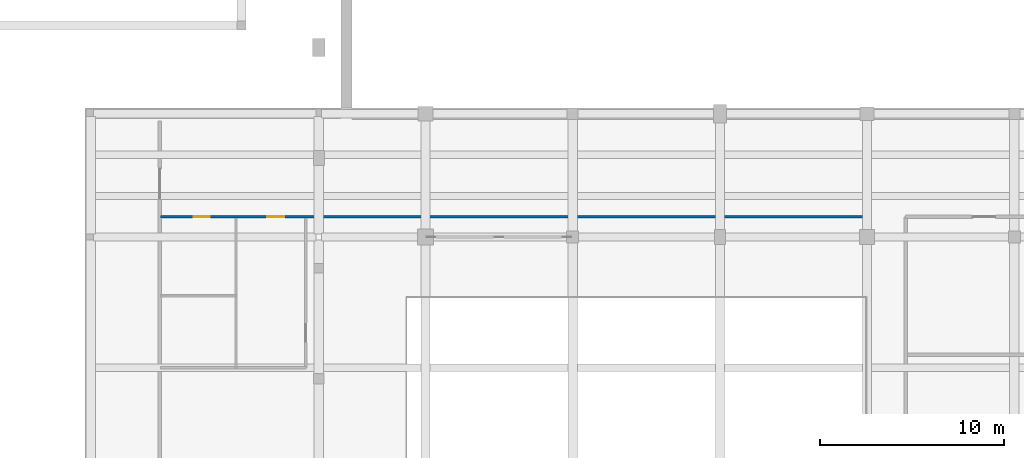
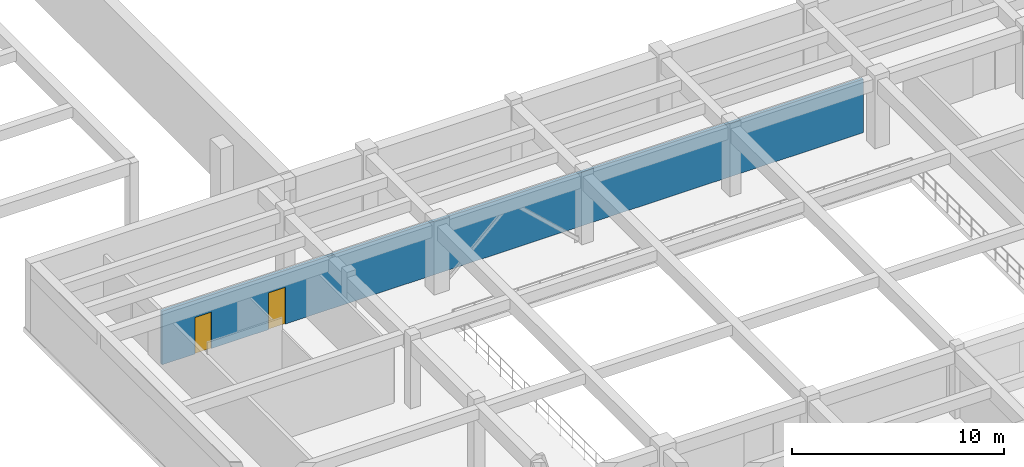
# One storey, part 23 of 35: 2 doors, 1 wall, 2 openings.
"""IFC4 building model written with IfcOpenShell, lengths in metres."""

from ifc_helpers import new_model, si_unit, direction, frame, frame_2d, origin, place, context, subcontext, project, spatial, rectangle, extrude, material, layer, layer_set, type_object, element, fill, save


model = new_model("IFC4")

# Units and contexts
model_context = context("Model", 3, precision=1e-05, world=origin(), true_north=direction((0.0, 1.0)))
body_context = subcontext(model_context, "Body", "Model", "MODEL_VIEW")
ifc_project = project(units=[si_unit("LENGTHUNIT", "METRE"), si_unit("AREAUNIT", "SQUARE_METRE"), si_unit("VOLUMEUNIT", "CUBIC_METRE"), si_unit("PLANEANGLEUNIT", "RADIAN"), si_unit("MASSUNIT", "GRAM", prefix="KILO"), si_unit("THERMODYNAMICTEMPERATUREUNIT", "KELVIN"), si_unit("POWERUNIT", "WATT")], contexts=[model_context])

# Site, building, storey
site_placement = place(None, origin())
site = spatial("IfcSite", under=ifc_project, at=site_placement, CompositionType="ELEMENT")
building_placement = place(site_placement, origin())
building = spatial("IfcBuilding", under=site, at=building_placement, Name="Solvatero Civic Police Headquarters", CompositionType="ELEMENT")
storey_placement = place(building_placement, frame((0.0, 0.0, -4.199951171875)))
storey = spatial("IfcBuildingStorey", under=building, at=storey_placement, Name="B01", CompositionType="ELEMENT", Elevation=-4.199951171875)

# Wall, openings, doors
ifc_material_1 = material(Name="Gypsum Acoustic Stud", Category="gypsum")
ifc_layer = layer(ifc_material_1, 0.14990234375)
ifc_layer_set = layer_set([ifc_layer], Name="Gypsum Acoustic Stud")
wall_type = type_object("IfcWallType", Name="WL-PTN-150", PredefinedType="PARTITIONING", material=ifc_layer_set)
wall_placement = place(storey_placement, frame((113.60009765625, 37.60009765625, 0.0), z_axis=(0.0, 0.0, 1.0), x_axis=(1.0, 0.0, 0.0)))
wall = element("IfcWall", 1, at=wall_placement, inside=storey, type_object=wall_type, Name="Interior Partition WLP-B01-CORR-S", PredefinedType="PARTITIONING", context=body_context, shape_type="SweptSolid", body=[
    extrude(rectangle(XDim=38.199951171875, YDim=0.14990234375, at=frame_2d((19.10009765625, 0.0))), origin(), (0.0, 0.0, 1.0), 3.087890625),
])
opening_1_placement = place(wall_placement, frame((1.800048828125, 0.0, 0.0)))
opening_1 = element("IfcOpeningElement", 2, at=opening_1_placement, cuts=wall, Name="Opening ID-01", PredefinedType="OPENING", context=body_context, shape_type="SweptSolid", body=[
    extrude(rectangle(XDim=0.8798828125, YDim=2.10009765625, at=frame_2d((0.43994140625, 1.050048828125))), frame((0.0, 0.0849609375, 0.0), z_axis=(0.0, -1.0, 0.0), x_axis=(1.0, 0.0, 0.0)), (0.0, 0.0, 1.0), 0.169921875),
])
opening_2_placement = place(wall_placement, frame((5.800048828125, 0.0, 0.0)))
opening_2 = element("IfcOpeningElement", 3, at=opening_2_placement, cuts=wall, Name="Opening ID-03", PredefinedType="OPENING", context=body_context, shape_type="SweptSolid", body=[
    extrude(rectangle(XDim=0.919921875, YDim=2.1201171875, at=frame_2d((0.4599609375, 1.06005859375))), frame((0.0, 0.0849609375, 0.0), z_axis=(0.0, -1.0, 0.0), x_axis=(1.0, 0.0, 0.0)), (0.0, 0.0, 1.0), 0.169921875),
])
ifc_material_2 = material(Name="Acoustic Oak Timber Veneer", Category="wood")
door_type_1 = type_object("IfcDoorType", Name="DR-OFF-088x210", OperationType="NOTDEFINED", PredefinedType="DOOR", material=ifc_material_2)
door_1_placement = place(opening_1_placement, origin())
door_1 = element("IfcDoor", 4, at=door_1_placement, inside=storey, type_object=door_type_1, Name="Interior Door DR-B01-WCM", OperationType="SINGLE_SWING_RIGHT", OverallHeight=2.10009765625, OverallWidth=0.8798828125, PredefinedType="DOOR", context=body_context, shape_type="SweptSolid", body=[
    extrude(rectangle(XDim=0.8798828125, YDim=2.10009765625, at=frame_2d((0.43994140625, 1.050048828125))), frame((0.0, 0.02490234375, 0.0), z_axis=(0.0, -1.0, 0.0), x_axis=(1.0, 0.0, 0.0)), (0.0, 0.0, 1.0), 0.050048828125),
])
fill(opening_1, door_1)
door_type_2 = type_object("IfcDoorType", Name="DR-OFF-092x212", OperationType="NOTDEFINED", PredefinedType="DOOR", material=ifc_material_2)
door_2_placement = place(opening_2_placement, origin())
door_2 = element("IfcDoor", 5, at=door_2_placement, inside=storey, type_object=door_type_2, Name="Interior Door DR-B01-WCF", OperationType="SINGLE_SWING_LEFT", OverallHeight=2.1201171875, OverallWidth=0.919921875, PredefinedType="DOOR", context=body_context, shape_type="SweptSolid", body=[
    extrude(rectangle(XDim=0.919921875, YDim=2.1201171875, at=frame_2d((0.4599609375, 1.06005859375))), frame((0.0, 0.02490234375, 0.0), z_axis=(0.0, -1.0, 0.0), x_axis=(1.0, 0.0, 0.0)), (0.0, 0.0, 1.0), 0.050048828125),
])
fill(opening_2, door_2)

save(model, "model.ifc")
